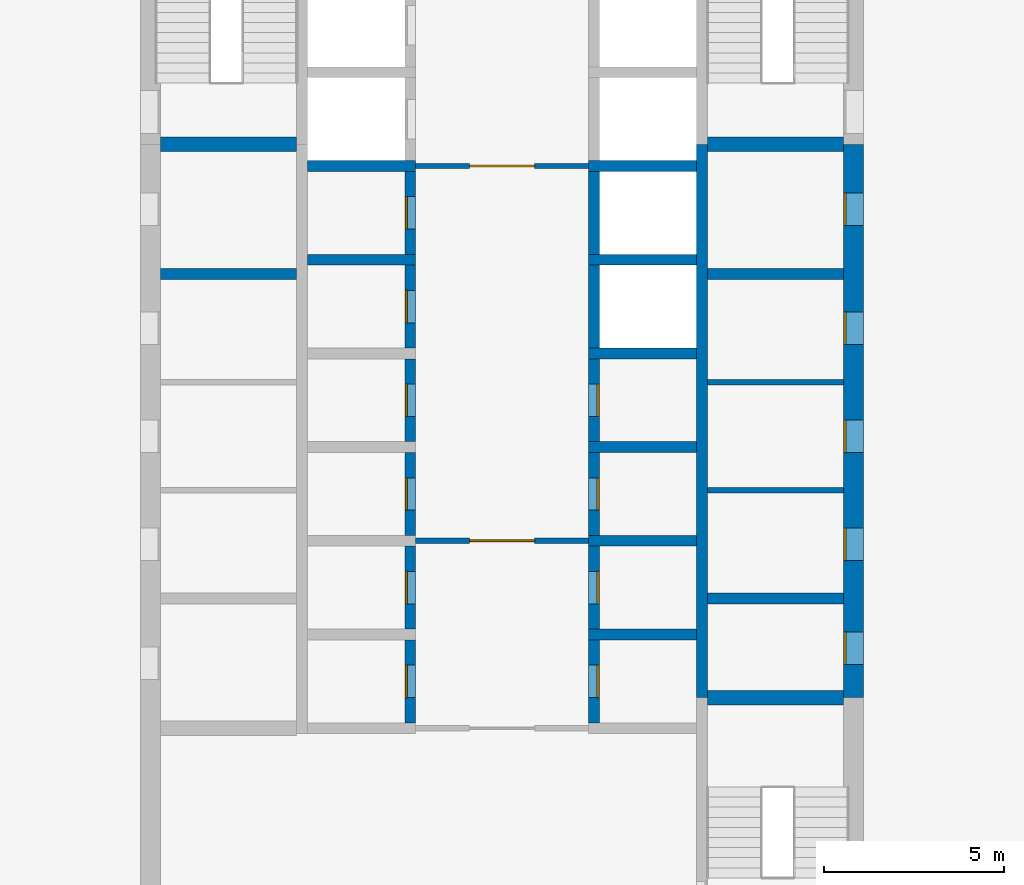
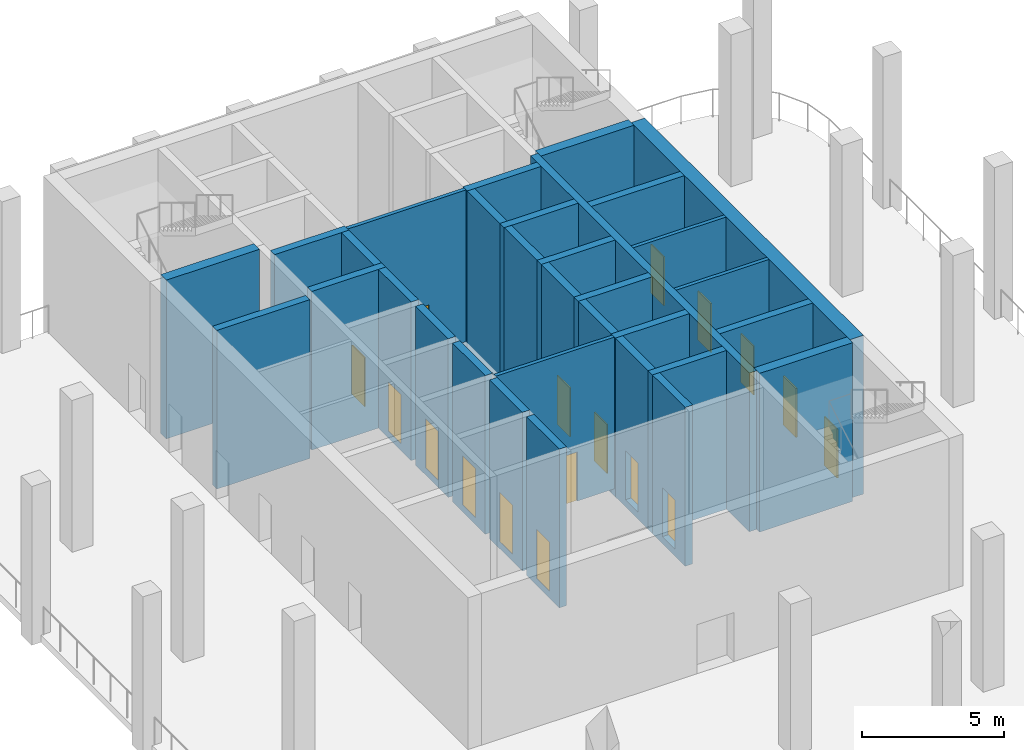
# One storey, part 2 of 10: 32 walls, 17 doors, 17 openings.
"""IFC4 building model written with IfcOpenShell, lengths in metres."""

import ifcopenshell
import ifcopenshell.guid

model = None  # the IFC model being written
_history = None  # IfcOwnerHistory: only IFC2X3 demands one
_inside = {}  # id of a spatial element -> (the spatial element, [elements in it])
_under = {}  # id of a project, library or spatial element -> (it, [spatial elements below it])
_declared = {}  # id of a project -> (the project, [libraries it declares])
_typed = {}  # id of a type object -> (the type object, [elements of that type])
_made_of = {}  # id of a material, layer set ... -> (it, [elements and type objects made of it])


def new_model(schema):
    """Start an empty IFC model of exactly this schema.

    Asked for "IFC4X3", IfcOpenShell would pick the latest addendum, in which some entities
    have other attributes; the version numbers below select the first issue.
    IFC2X3 requires an IfcOwnerHistory on every rooted entity: one is made here for all.
    """
    global model, _history
    if schema == "IFC4X3":
        model = ifcopenshell.file(schema_version=(4, 3, 0, 0))
    else:
        model = ifcopenshell.file(schema=schema)
    _inside.clear()
    _under.clear()
    _declared.clear()
    _typed.clear()
    _made_of.clear()
    _history = None
    if model.schema == "IFC2X3":
        org = make("IfcOrganization", Name="unknown")
        user = make(
            "IfcPersonAndOrganization",
            ThePerson=make("IfcPerson", FamilyName="unknown"),
            TheOrganization=org,
        )
        app = make(
            "IfcApplication",
            ApplicationDeveloper=org,
            Version="unknown",
            ApplicationFullName="unknown",
            ApplicationIdentifier="unknown",
        )
        _history = make(
            "IfcOwnerHistory",
            OwningUser=user,
            OwningApplication=app,
            ChangeAction="ADDED",
            CreationDate=0,
        )
    return model


def make(cls, **values):
    """One entity of the class cls with the attributes given. An attribute that is None is left unset."""
    return model.create_entity(
        cls, **{name: value for name, value in values.items() if value is not None}
    )


def rooted(cls, **values):
    """An entity with a GlobalId (a new one), such as an element, a storey or a relation."""
    return make(cls, GlobalId=ifcopenshell.guid.new(), OwnerHistory=_history, **values)


def si_unit(unit_type, name, prefix=None):
    """IfcSIUnit, for example si_unit("LENGTHUNIT", "METRE", prefix="MILLI")."""
    return make("IfcSIUnit", UnitType=unit_type, Prefix=prefix, Name=name)


def assignment(units):
    """IfcUnitAssignment: the units of a project."""
    return None if units is None else make("IfcUnitAssignment", Units=units)


def point(xyz):
    """IfcCartesianPoint."""
    return None if xyz is None else make("IfcCartesianPoint", Coordinates=xyz)


def direction(xyz):
    """IfcDirection."""
    return None if xyz is None else make("IfcDirection", DirectionRatios=xyz)


def frame(location, z_axis=None, x_axis=None):
    """IfcAxis2Placement3D, a coordinate frame: its origin and axes. An axis left out is left unset."""
    return make(
        "IfcAxis2Placement3D",
        Location=point(location),
        Axis=direction(z_axis),
        RefDirection=direction(x_axis),
    )


def frame_2d(location, x_axis=None):
    """IfcAxis2Placement2D, a coordinate frame in the plane: its origin and x axis."""
    return make(
        "IfcAxis2Placement2D", Location=point(location), RefDirection=direction(x_axis)
    )


def origin():
    """The frame at (0, 0, 0) with its axes left unset."""
    return frame((0.0, 0.0, 0.0))


def place(relative_to, where):
    """IfcLocalPlacement: puts the frame where relative to a parent placement (None: the world)."""
    return make(
        "IfcLocalPlacement", PlacementRelTo=relative_to, RelativePlacement=where
    )


def context(
    kind, dimensions, precision=None, world=None, true_north=None, identifier=None
):
    """IfcGeometricRepresentationContext, for example the 3D "Model" context."""
    return make(
        "IfcGeometricRepresentationContext",
        ContextIdentifier=identifier,
        ContextType=kind,
        CoordinateSpaceDimension=dimensions,
        Precision=precision,
        WorldCoordinateSystem=world,
        TrueNorth=true_north,
    )


def subcontext(parent, identifier, kind, view, scale=None):
    """IfcGeometricRepresentationSubContext, for example "Body" below "Model"."""
    return make(
        "IfcGeometricRepresentationSubContext",
        ContextIdentifier=identifier,
        ContextType=kind,
        ParentContext=parent,
        TargetScale=scale,
        TargetView=view,
    )


def project(units=None, contexts=None):
    """IfcProject with its units and contexts."""
    return rooted(
        "IfcProject",
        Name="project",
        RepresentationContexts=contexts,
        UnitsInContext=assignment(units),
    )


def spatial(cls, under=None, at=None, **own):
    """A site, building, storey or space (cls), placed at a placement, below another one or the project."""
    s = rooted(cls, ObjectPlacement=at, **own)
    if under is not None:
        _under.setdefault(under.id(), (under, []))[1].append(s)
    return s


def profile(cls, at=None, kind="AREA", **sizes):
    """A parametric profile (cls). Its sizes go by their IFC names, for example OverallWidth=200.0."""
    return make(cls, ProfileType=kind, Position=at, **sizes)


def rectangle(**sizes):
    """IfcRectangleProfileDef."""
    return profile("IfcRectangleProfileDef", **sizes)


def extrude(swept, where, along, depth):
    """IfcExtrudedAreaSolid: the profile swept, set in the frame where, extruded along a direction by depth."""
    return make(
        "IfcExtrudedAreaSolid",
        SweptArea=swept,
        Position=where,
        ExtrudedDirection=direction(along),
        Depth=depth,
    )


def shape(context_of_items, identifier, shape_type, items):
    """IfcShapeRepresentation: the items that make up one representation, for example the "Body"."""
    return make(
        "IfcShapeRepresentation",
        ContextOfItems=context_of_items,
        RepresentationIdentifier=identifier,
        RepresentationType=shape_type,
        Items=items,
    )


def material(Name=None, Category=None):
    """IfcMaterial."""
    return make("IfcMaterial", Name=Name, Category=Category)


def layer(
    of_material, thickness, ventilated=None, Name=None, Category=None, Priority=None
):
    """IfcMaterialLayer: one layer of a wall or slab, of a material (None: an air gap)."""
    return make(
        "IfcMaterialLayer",
        Material=of_material,
        LayerThickness=thickness,
        IsVentilated=ventilated,
        Name=Name,
        Category=Category,
        Priority=Priority,
    )


def layer_set(layers, Name=None):
    """IfcMaterialLayerSet."""
    return make("IfcMaterialLayerSet", MaterialLayers=layers, LayerSetName=Name)


def made_of(thing, what):
    """Note that an element or type object is made of a material, layer set ...; save() writes the relation."""
    if what is not None:
        _made_of.setdefault(what.id(), (what, []))[1].append(thing)
    return thing


def type_object(cls, material=None, **own):
    """A type object (cls), such as IfcWallType, which elements share."""
    return made_of(rooted(cls, **own), material)


def element(
    cls,
    number,
    at=None,
    inside=None,
    cuts=None,
    type_object=None,
    material=None,
    context=None,
    identifier="Body",
    shape_type=None,
    held_by="IfcProductDefinitionShape",
    body=None,
    shapes=None,
    **own,
):
    """One element of the class cls, such as IfcWall. Its Tag is "e" and its number.

    at: its placement. inside: the storey or other place that contains it. cuts: it is an
    opening in that element (IfcRelVoidsElement). A single representation is given by context,
    identifier, shape_type and body (its items); several are given by shapes. held_by: the class
    of the entity that holds the representations. save() writes the other relations.
    """
    e = rooted(cls, Tag="e%d" % number, ObjectPlacement=at, **own)
    if body is not None:
        shapes = [shape(context, identifier, shape_type, body)]
    if shapes is not None:
        e.Representation = make(held_by, Representations=shapes)
    if inside is not None:
        _inside.setdefault(inside.id(), (inside, []))[1].append(e)
    if cuts is not None:
        rooted(
            "IfcRelVoidsElement", RelatingBuildingElement=cuts, RelatedOpeningElement=e
        )
    if type_object is not None:
        _typed.setdefault(type_object.id(), (type_object, []))[1].append(e)
    return made_of(e, material)


def fill(opening, filler):
    """IfcRelFillsElement: the door or window that sits in an opening."""
    return rooted(
        "IfcRelFillsElement",
        RelatingOpeningElement=opening,
        RelatedBuildingElement=filler,
    )


def aggregate(whole, parts):
    """IfcRelAggregates: a whole, such as a stair, and the parts it consists of."""
    return rooted("IfcRelAggregates", RelatingObject=whole, RelatedObjects=parts)


def save(model, path):
    """Write the relations noted so far, then the file.

    IfcRelAggregates (storeys below a building ...), IfcRelContainedInSpatialStructure (elements
    in a storey), IfcRelDefinesByType, IfcRelAssociatesMaterial and IfcRelDeclares: one each for
    every whole, place, type object, material and project.
    """
    for whole, parts in _under.values():
        aggregate(whole, parts)
    for where, things in _inside.values():
        rooted(
            "IfcRelContainedInSpatialStructure",
            RelatedElements=things,
            RelatingStructure=where,
        )
    for kind, things in _typed.values():
        rooted("IfcRelDefinesByType", RelatedObjects=things, RelatingType=kind)
    for what, things in _made_of.values():
        rooted("IfcRelAssociatesMaterial", RelatedObjects=things, RelatingMaterial=what)
    for by, libraries in _declared.values():
        rooted("IfcRelDeclares", RelatingContext=by, RelatedDefinitions=libraries)
    model.write(path)


model = new_model("IFC4")

# Units and contexts
model_context = context("Model", 3, precision=1e-05, world=origin(), true_north=direction((0.0, 1.0)))
body_context = subcontext(model_context, "Body", "Model", "MODEL_VIEW")
ifc_project = project(units=[si_unit("LENGTHUNIT", "METRE"), si_unit("AREAUNIT", "SQUARE_METRE"), si_unit("VOLUMEUNIT", "CUBIC_METRE"), si_unit("PLANEANGLEUNIT", "RADIAN"), si_unit("MASSUNIT", "GRAM", prefix="KILO")], contexts=[model_context])

# Site, building, storey
site_placement = place(None, origin())
site = spatial("IfcSite", under=ifc_project, at=site_placement, CompositionType="ELEMENT")
building_placement = place(site_placement, origin())
building = spatial("IfcBuilding", under=site, at=building_placement, Name="Ludao Terraces", CompositionType="ELEMENT")
storey_placement = place(building_placement, frame((0.0, 0.0, 172.39990234375)))
storey = spatial("IfcBuildingStorey", under=building, at=storey_placement, Name="L47", CompositionType="ELEMENT", Elevation=172.39990234375)

# Wall, openings, doors
ifc_material_1 = material(Name="Concrete C60", Category="concrete")
ifc_layer_1 = layer(ifc_material_1, 0.550048828125)
ifc_layer_set_1 = layer_set([ifc_layer_1], Name="Core wall 550 C60")
wall_type_1 = type_object("IfcWallType", Name="Core wall 550 C60", PredefinedType="SOLIDWALL", material=ifc_layer_set_1)
wall_1_placement = place(storey_placement, frame((94.75, 61.949951171875, -0.2998046875), z_axis=(0.0, 0.0, 1.0), x_axis=(0.0, 1.0, 0.0)))
wall_1 = element("IfcWall", 1, at=wall_1_placement, inside=storey, type_object=wall_type_1, Name="Core wall L47 outer-E", PredefinedType="SOLIDWALL", context=body_context, shape_type="SweptSolid", body=[
    extrude(rectangle(XDim=15.35009765625, YDim=0.550048828125, at=frame_2d((7.675048828125, 0.0))), origin(), (0.0, 0.0, 1.0), 6.7998046875),
])
opening_1_placement = place(wall_1_placement, frame((0.925048828125, 0.0, 0.300048828125)))
opening_1 = element("IfcOpeningElement", 2, at=opening_1_placement, cuts=wall_1, Name="Opening L47-008", PredefinedType="OPENING", context=body_context, shape_type="SweptSolid", body=[
    extrude(rectangle(XDim=0.89990234375, YDim=2.10009765625, at=frame_2d((0.449951171875, 1.050048828125))), frame((0.0, 0.28515625, 0.0), z_axis=(0.0, -1.0, 0.0), x_axis=(1.0, 0.0, 0.0)), (0.0, 0.0, 1.0), 0.570068359375),
])
opening_2_placement = place(wall_1_placement, frame((3.800048828125, 0.0, 0.300048828125)))
opening_2 = element("IfcOpeningElement", 3, at=opening_2_placement, cuts=wall_1, Name="Opening L47-012", PredefinedType="OPENING", context=body_context, shape_type="SweptSolid", body=[
    extrude(rectangle(XDim=0.89990234375, YDim=2.10009765625, at=frame_2d((0.449951171875, 1.050048828125))), frame((0.0, 0.28515625, 0.0), z_axis=(0.0, -1.0, 0.0), x_axis=(1.0, 0.0, 0.0)), (0.0, 0.0, 1.0), 0.570068359375),
])
opening_3_placement = place(wall_1_placement, frame((6.800048828125, 0.0, 0.300048828125)))
opening_3 = element("IfcOpeningElement", 4, at=opening_3_placement, cuts=wall_1, Name="Opening L47-017", PredefinedType="OPENING", context=body_context, shape_type="SweptSolid", body=[
    extrude(rectangle(XDim=0.89990234375, YDim=2.10009765625, at=frame_2d((0.449951171875, 1.050048828125))), frame((0.0, 0.28515625, 0.0), z_axis=(0.0, -1.0, 0.0), x_axis=(1.0, 0.0, 0.0)), (0.0, 0.0, 1.0), 0.570068359375),
])
opening_4_placement = place(wall_1_placement, frame((9.800048828125, 0.0, 0.300048828125)))
opening_4 = element("IfcOpeningElement", 5, at=opening_4_placement, cuts=wall_1, Name="Opening L47-021", PredefinedType="OPENING", context=body_context, shape_type="SweptSolid", body=[
    extrude(rectangle(XDim=0.89990234375, YDim=2.10009765625, at=frame_2d((0.449951171875, 1.050048828125))), frame((0.0, 0.28515625, 0.0), z_axis=(0.0, -1.0, 0.0), x_axis=(1.0, 0.0, 0.0)), (0.0, 0.0, 1.0), 0.570068359375),
])
opening_5_placement = place(wall_1_placement, frame((13.10009765625, 0.0, 0.300048828125)))
opening_5 = element("IfcOpeningElement", 6, at=opening_5_placement, cuts=wall_1, Name="Opening L47-025", PredefinedType="OPENING", context=body_context, shape_type="SweptSolid", body=[
    extrude(rectangle(XDim=0.89990234375, YDim=2.10009765625, at=frame_2d((0.449951171875, 1.050048828125))), frame((0.0, 0.28515625, 0.0), z_axis=(0.0, -1.0, 0.0), x_axis=(1.0, 0.0, 0.0)), (0.0, 0.0, 1.0), 0.570068359375),
])
ifc_material_2 = material(Name="Steel Q235", Category="steel")
door_type_1 = type_object("IfcDoorType", Name="INT Riser door 900", OperationType="SINGLE_SWING_LEFT", PredefinedType="DOOR", material=ifc_material_2)
door_1_placement = place(opening_1_placement, origin())
door_1 = element("IfcDoor", 7, at=door_1_placement, inside=storey, type_object=door_type_1, Name="DOOR 008", OperationType="SINGLE_SWING_LEFT", OverallHeight=2.10009765625, OverallWidth=0.89990234375, PredefinedType="DOOR", context=body_context, shape_type="SweptSolid", body=[
    extrude(rectangle(XDim=0.89990234375, YDim=2.10009765625, at=frame_2d((0.449951171875, 1.050048828125))), frame((0.0, 0.26025390625, 0.0), z_axis=(0.0, -1.0, 0.0), x_axis=(1.0, 0.0, 0.0)), (0.0, 0.0, 1.0), 0.050048828125),
])
fill(opening_1, door_1)
door_2_placement = place(opening_5_placement, origin())
door_2 = element("IfcDoor", 8, at=door_2_placement, inside=storey, type_object=door_type_1, Name="DOOR 025", OperationType="SINGLE_SWING_RIGHT", OverallHeight=2.10009765625, OverallWidth=0.89990234375, PredefinedType="DOOR", context=body_context, shape_type="SweptSolid", body=[
    extrude(rectangle(XDim=0.89990234375, YDim=2.10009765625, at=frame_2d((0.449951171875, 1.050048828125))), frame((0.0, 0.26025390625, 0.0), z_axis=(0.0, -1.0, 0.0), x_axis=(1.0, 0.0, 0.0)), (0.0, 0.0, 1.0), 0.050048828125),
])
fill(opening_5, door_2)
ifc_material_3 = material(Name="Timber door leaf", Category="wood")
door_type_2 = type_object("IfcDoorType", Name="INT Room door 900", OperationType="SINGLE_SWING_LEFT", PredefinedType="DOOR", material=ifc_material_3)
door_3_placement = place(opening_2_placement, origin())
door_3 = element("IfcDoor", 9, at=door_3_placement, inside=storey, type_object=door_type_2, Name="DOOR 012", OperationType="SINGLE_SWING_LEFT", OverallHeight=2.10009765625, OverallWidth=0.89990234375, PredefinedType="DOOR", context=body_context, shape_type="SweptSolid", body=[
    extrude(rectangle(XDim=0.89990234375, YDim=2.10009765625, at=frame_2d((0.449951171875, 1.050048828125))), frame((0.0, 0.26025390625, 0.0), z_axis=(0.0, -1.0, 0.0), x_axis=(1.0, 0.0, 0.0)), (0.0, 0.0, 1.0), 0.050048828125),
])
fill(opening_2, door_3)
door_4_placement = place(opening_3_placement, origin())
door_4 = element("IfcDoor", 10, at=door_4_placement, inside=storey, type_object=door_type_2, Name="DOOR 017", OperationType="SINGLE_SWING_RIGHT", OverallHeight=2.10009765625, OverallWidth=0.89990234375, PredefinedType="DOOR", context=body_context, shape_type="SweptSolid", body=[
    extrude(rectangle(XDim=0.89990234375, YDim=2.10009765625, at=frame_2d((0.449951171875, 1.050048828125))), frame((0.0, 0.26025390625, 0.0), z_axis=(0.0, -1.0, 0.0), x_axis=(1.0, 0.0, 0.0)), (0.0, 0.0, 1.0), 0.050048828125),
])
fill(opening_3, door_4)
door_5_placement = place(opening_4_placement, origin())
door_5 = element("IfcDoor", 11, at=door_5_placement, inside=storey, type_object=door_type_2, Name="DOOR 021", OperationType="SINGLE_SWING_RIGHT", OverallHeight=2.10009765625, OverallWidth=0.89990234375, PredefinedType="DOOR", context=body_context, shape_type="SweptSolid", body=[
    extrude(rectangle(XDim=0.89990234375, YDim=2.10009765625, at=frame_2d((0.449951171875, 1.050048828125))), frame((0.0, 0.26025390625, 0.0), z_axis=(0.0, -1.0, 0.0), x_axis=(1.0, 0.0, 0.0)), (0.0, 0.0, 1.0), 0.050048828125),
])
fill(opening_4, door_5)

# Wall, opening, door
ifc_material_4 = material(Name="Fire-rated gypsum plasterboard", Category="gypsum")
ifc_layer_2 = layer(ifc_material_4, 0.012451171875, Category="gypsum")
ifc_material_5 = material(Name="Mineral wool")
ifc_layer_3 = layer(ifc_material_5, 0.10009765625, Name="insulation")
ifc_layer_4 = layer(ifc_material_2, 0.02490234375, Name="stud")
ifc_layer_5 = layer(ifc_material_4, 0.012451171875, Category="gypsum")
ifc_layer_set_2 = layer_set([ifc_layer_2, ifc_layer_3, ifc_layer_4, ifc_layer_5], Name="INT Core partition 150")
wall_type_2 = type_object("IfcWallType", Name="INT Core partition 150", PredefinedType="PARTITIONING", material=ifc_layer_set_2)
wall_2_placement = place(storey_placement, frame((82.60009765625, 66.300048828125, 0.0), z_axis=(0.0, 0.0, 1.0), x_axis=(1.0, 0.0, 0.0)))
wall_2 = element("IfcWall", 12, at=wall_2_placement, inside=storey, type_object=wall_type_2, Name="PW-L47-PW001", PredefinedType="PARTITIONING", context=body_context, shape_type="SweptSolid", body=[
    extrude(rectangle(XDim=4.800048828125, YDim=0.14990234375, at=frame_2d((2.39990234375, 0.0))), origin(), (0.0, 0.0, 1.0), 6.5),
])
opening_6_placement = place(wall_2_placement, frame((1.5, 0.0, 0.0)))
opening_6 = element("IfcOpeningElement", 13, at=opening_6_placement, cuts=wall_2, Name="Opening L47-013", PredefinedType="OPENING", context=body_context, shape_type="SweptSolid", body=[
    extrude(rectangle(XDim=1.800048828125, YDim=2.10009765625, at=frame_2d((0.89990234375, 1.050048828125))), frame((0.0, 0.0849609375, 0.0), z_axis=(0.0, -1.0, 0.0), x_axis=(1.0, 0.0, 0.0)), (0.0, 0.0, 1.0), 0.169921875),
])
door_type_3 = type_object("IfcDoorType", Name="INT Fire lobby door 1800", OperationType="DOUBLE_DOOR_SINGLE_SWING", PredefinedType="DOOR", material=ifc_material_2)
door_6_placement = place(opening_6_placement, origin())
door_6 = element("IfcDoor", 14, at=door_6_placement, inside=storey, type_object=door_type_3, Name="DOOR 013", OperationType="DOUBLE_DOOR_SINGLE_SWING", OverallHeight=2.10009765625, OverallWidth=1.800048828125, PredefinedType="DOOR", context=body_context, shape_type="SweptSolid", body=[
    extrude(rectangle(XDim=1.800048828125, YDim=2.10009765625, at=frame_2d((0.89990234375, 1.050048828125))), frame((0.0, 0.02490234375, 0.0), z_axis=(0.0, -1.0, 0.0), x_axis=(1.0, 0.0, 0.0)), (0.0, 0.0, 1.0), 0.050048828125),
])
fill(opening_6, door_6)

# Walls
for number, where, z_axis, x_axis, name in (
    (15, (90.7001953125, 67.699951171875, 0.0), (0.0, 0.0, 1.0), (1.0, 0.0, 0.0), "PW-L47-PW003"),
    (16, (90.7001953125, 70.699951171875, 0.0), (0.0, 0.0, 1.0), (1.0, 0.0, 0.0), "PW-L47-PW005"),
):
    element("IfcWall", number, at=place(storey_placement, frame(where, z_axis=z_axis, x_axis=x_axis)), inside=storey, type_object=wall_type_2, Name=name, PredefinedType="PARTITIONING", context=body_context, shape_type="SweptSolid", body=[
        extrude(rectangle(XDim=3.77490234375, YDim=0.14990234375, at=frame_2d((1.887451171875, 0.0))), origin(), (0.0, 0.0, 1.0), 6.5),
    ])

# Wall, opening, door
wall_3_placement = place(storey_placement, frame((82.60009765625, 76.699951171875, 0.0), z_axis=(0.0, 0.0, 1.0), x_axis=(1.0, 0.0, 0.0)))
wall_3 = element("IfcWall", 17, at=wall_3_placement, inside=storey, type_object=wall_type_2, Name="PW-L47-PW006", PredefinedType="PARTITIONING", context=body_context, shape_type="SweptSolid", body=[
    extrude(rectangle(XDim=4.800048828125, YDim=0.14990234375, at=frame_2d((2.39990234375, 0.0))), origin(), (0.0, 0.0, 1.0), 6.5),
])
opening_7_placement = place(wall_3_placement, frame((1.5, 0.0, 0.0)))
opening_7 = element("IfcOpeningElement", 18, at=opening_7_placement, cuts=wall_3, Name="Opening L47-026", PredefinedType="OPENING", context=body_context, shape_type="SweptSolid", body=[
    extrude(rectangle(XDim=1.800048828125, YDim=2.10009765625, at=frame_2d((0.89990234375, 1.050048828125))), frame((0.0, 0.0849609375, 0.0), z_axis=(0.0, -1.0, 0.0), x_axis=(1.0, 0.0, 0.0)), (0.0, 0.0, 1.0), 0.169921875),
])
door_7_placement = place(opening_7_placement, origin())
door_7 = element("IfcDoor", 19, at=door_7_placement, inside=storey, type_object=door_type_3, Name="DOOR 026", OperationType="DOUBLE_DOOR_SINGLE_SWING", OverallHeight=2.10009765625, OverallWidth=1.800048828125, PredefinedType="DOOR", context=body_context, shape_type="SweptSolid", body=[
    extrude(rectangle(XDim=1.800048828125, YDim=2.10009765625, at=frame_2d((0.89990234375, 1.050048828125))), frame((0.0, 0.02490234375, 0.0), z_axis=(0.0, -1.0, 0.0), x_axis=(1.0, 0.0, 0.0)), (0.0, 0.0, 1.0), 0.050048828125),
])
fill(opening_7, door_7)

# Wall
ifc_material_6 = material(Name="Concrete C55", Category="concrete")
ifc_layer_6 = layer(ifc_material_6, 0.300048828125)
ifc_layer_set_3 = layer_set([ifc_layer_6], Name="Shaft wall 300 C55")
wall_type_3 = type_object("IfcWallType", Name="Shaft wall 300 C55", PredefinedType="SOLIDWALL", material=ifc_layer_set_3)
wall_4_placement = place(storey_placement, frame((90.550048828125, 61.949951171875, -0.2998046875), z_axis=(0.0, 0.0, 1.0), x_axis=(0.0, 1.0, 0.0)))
element("IfcWall", 20, at=wall_4_placement, inside=storey, type_object=wall_type_3, Name="Core wall L47 back-E", PredefinedType="SOLIDWALL", context=body_context, shape_type="SweptSolid", body=[
    extrude(rectangle(XDim=15.35009765625, YDim=0.300048828125, at=frame_2d((7.675048828125, 0.0))), origin(), (0.0, 0.0, 1.0), 6.7998046875),
])

# Wall, opening, door
wall_5_placement = place(storey_placement, frame((82.449951171875, 61.25, -0.2998046875), z_axis=(0.0, 0.0, 1.0), x_axis=(0.0, 1.0, 0.0)))
wall_5 = element("IfcWall", 21, at=wall_5_placement, inside=storey, type_object=wall_type_3, Name="Core wall L47 front-W1", PredefinedType="SOLIDWALL", context=body_context, shape_type="SweptSolid", body=[
    extrude(rectangle(XDim=2.300048828125, YDim=0.300048828125, at=frame_2d((1.14990234375, 0.0))), origin(), (0.0, 0.0, 1.0), 6.7998046875),
])
opening_8_placement = place(wall_5_placement, frame((0.699951171875, 0.0, 0.300048828125)))
opening_8 = element("IfcOpeningElement", 22, at=opening_8_placement, cuts=wall_5, Name="Opening L47-005", PredefinedType="OPENING", context=body_context, shape_type="SweptSolid", body=[
    extrude(rectangle(XDim=0.89990234375, YDim=2.10009765625, at=frame_2d((0.449951171875, 1.050048828125))), frame((0.0, 0.16015625, 0.0), z_axis=(0.0, -1.0, 0.0), x_axis=(1.0, 0.0, 0.0)), (0.0, 0.0, 1.0), 0.320068359375),
])
door_8_placement = place(opening_8_placement, origin())
door_8 = element("IfcDoor", 23, at=door_8_placement, inside=storey, type_object=door_type_2, Name="DOOR 005", OperationType="SINGLE_SWING_RIGHT", OverallHeight=2.10009765625, OverallWidth=0.89990234375, PredefinedType="DOOR", context=body_context, shape_type="SweptSolid", body=[
    extrude(rectangle(XDim=0.89990234375, YDim=2.10009765625, at=frame_2d((0.449951171875, 1.050048828125))), frame((0.0, 0.13525390625, 0.0), z_axis=(0.0, -1.0, 0.0), x_axis=(1.0, 0.0, 0.0)), (0.0, 0.0, 1.0), 0.050048828125),
])
fill(opening_8, door_8)

wall_6_placement = place(storey_placement, frame((82.449951171875, 63.85009765625, -0.2998046875), z_axis=(0.0, 0.0, 1.0), x_axis=(0.0, 1.0, 0.0)))
wall_6 = element("IfcWall", 24, at=wall_6_placement, inside=storey, type_object=wall_type_3, Name="Core wall L47 front-W2", PredefinedType="SOLIDWALL", context=body_context, shape_type="SweptSolid", body=[
    extrude(rectangle(XDim=2.2998046875, YDim=0.300048828125, at=frame_2d((1.14990234375, 0.0))), origin(), (0.0, 0.0, 1.0), 6.7998046875),
])
opening_9_placement = place(wall_6_placement, frame((0.699951171875, 0.0, 0.300048828125)))
opening_9 = element("IfcOpeningElement", 25, at=opening_9_placement, cuts=wall_6, Name="Opening L47-009", PredefinedType="OPENING", context=body_context, shape_type="SweptSolid", body=[
    extrude(rectangle(XDim=0.89990234375, YDim=2.10009765625, at=frame_2d((0.449951171875, 1.050048828125))), frame((0.0, 0.16015625, 0.0), z_axis=(0.0, -1.0, 0.0), x_axis=(1.0, 0.0, 0.0)), (0.0, 0.0, 1.0), 0.320068359375),
])
door_9_placement = place(opening_9_placement, origin())
door_9 = element("IfcDoor", 26, at=door_9_placement, inside=storey, type_object=door_type_2, Name="DOOR 009", OperationType="SINGLE_SWING_LEFT", OverallHeight=2.10009765625, OverallWidth=0.89990234375, PredefinedType="DOOR", context=body_context, shape_type="SweptSolid", body=[
    extrude(rectangle(XDim=0.89990234375, YDim=2.10009765625, at=frame_2d((0.449951171875, 1.050048828125))), frame((0.0, 0.13525390625, 0.0), z_axis=(0.0, -1.0, 0.0), x_axis=(1.0, 0.0, 0.0)), (0.0, 0.0, 1.0), 0.050048828125),
])
fill(opening_9, door_9)

wall_7_placement = place(storey_placement, frame((82.449951171875, 66.449951171875, -0.2998046875), z_axis=(0.0, 0.0, 1.0), x_axis=(0.0, 1.0, 0.0)))
wall_7 = element("IfcWall", 27, at=wall_7_placement, inside=storey, type_object=wall_type_3, Name="Core wall L47 front-W3", PredefinedType="SOLIDWALL", context=body_context, shape_type="SweptSolid", body=[
    extrude(rectangle(XDim=2.300048828125, YDim=0.300048828125, at=frame_2d((1.14990234375, 0.0))), origin(), (0.0, 0.0, 1.0), 6.7998046875),
])
opening_10_placement = place(wall_7_placement, frame((0.699951171875, 0.0, 0.300048828125)))
opening_10 = element("IfcOpeningElement", 28, at=opening_10_placement, cuts=wall_7, Name="Opening L47-014", PredefinedType="OPENING", context=body_context, shape_type="SweptSolid", body=[
    extrude(rectangle(XDim=0.89990234375, YDim=2.10009765625, at=frame_2d((0.449951171875, 1.050048828125))), frame((0.0, 0.16015625, 0.0), z_axis=(0.0, -1.0, 0.0), x_axis=(1.0, 0.0, 0.0)), (0.0, 0.0, 1.0), 0.320068359375),
])
door_10_placement = place(opening_10_placement, origin())
door_10 = element("IfcDoor", 29, at=door_10_placement, inside=storey, type_object=door_type_2, Name="DOOR 014", OperationType="SINGLE_SWING_RIGHT", OverallHeight=2.10009765625, OverallWidth=0.89990234375, PredefinedType="DOOR", context=body_context, shape_type="SweptSolid", body=[
    extrude(rectangle(XDim=0.89990234375, YDim=2.10009765625, at=frame_2d((0.449951171875, 1.050048828125))), frame((0.0, 0.13525390625, 0.0), z_axis=(0.0, -1.0, 0.0), x_axis=(1.0, 0.0, 0.0)), (0.0, 0.0, 1.0), 0.050048828125),
])
fill(opening_10, door_10)

wall_8_placement = place(storey_placement, frame((82.449951171875, 69.050048828125, -0.2998046875), z_axis=(0.0, 0.0, 1.0), x_axis=(0.0, 1.0, 0.0)))
wall_8 = element("IfcWall", 30, at=wall_8_placement, inside=storey, type_object=wall_type_3, Name="Core wall L47 front-W4", PredefinedType="SOLIDWALL", context=body_context, shape_type="SweptSolid", body=[
    extrude(rectangle(XDim=2.300048828125, YDim=0.300048828125, at=frame_2d((1.14990234375, 0.0))), origin(), (0.0, 0.0, 1.0), 6.7998046875),
])
opening_11_placement = place(wall_8_placement, frame((0.699951171875, 0.0, 0.300048828125)))
opening_11 = element("IfcOpeningElement", 31, at=opening_11_placement, cuts=wall_8, Name="Opening L47-018", PredefinedType="OPENING", context=body_context, shape_type="SweptSolid", body=[
    extrude(rectangle(XDim=0.89990234375, YDim=2.10009765625, at=frame_2d((0.449951171875, 1.050048828125))), frame((0.0, 0.16015625, 0.0), z_axis=(0.0, -1.0, 0.0), x_axis=(1.0, 0.0, 0.0)), (0.0, 0.0, 1.0), 0.320068359375),
])
door_11_placement = place(opening_11_placement, origin())
door_11 = element("IfcDoor", 32, at=door_11_placement, inside=storey, type_object=door_type_2, Name="DOOR 018", OperationType="SINGLE_SWING_LEFT", OverallHeight=2.10009765625, OverallWidth=0.89990234375, PredefinedType="DOOR", context=body_context, shape_type="SweptSolid", body=[
    extrude(rectangle(XDim=0.89990234375, YDim=2.10009765625, at=frame_2d((0.449951171875, 1.050048828125))), frame((0.0, 0.13525390625, 0.0), z_axis=(0.0, -1.0, 0.0), x_axis=(1.0, 0.0, 0.0)), (0.0, 0.0, 1.0), 0.050048828125),
])
fill(opening_11, door_11)

wall_9_placement = place(storey_placement, frame((82.449951171875, 71.64990234375, -0.2998046875), z_axis=(0.0, 0.0, 1.0), x_axis=(0.0, 1.0, 0.0)))
wall_9 = element("IfcWall", 33, at=wall_9_placement, inside=storey, type_object=wall_type_3, Name="Core wall L47 front-W5", PredefinedType="SOLIDWALL", context=body_context, shape_type="SweptSolid", body=[
    extrude(rectangle(XDim=2.300048828125, YDim=0.300048828125, at=frame_2d((1.14990234375, 0.0))), origin(), (0.0, 0.0, 1.0), 6.7998046875),
])
opening_12_placement = place(wall_9_placement, frame((0.699951171875, 0.0, 0.300048828125)))
opening_12 = element("IfcOpeningElement", 34, at=opening_12_placement, cuts=wall_9, Name="Opening L47-022", PredefinedType="OPENING", context=body_context, shape_type="SweptSolid", body=[
    extrude(rectangle(XDim=0.89990234375, YDim=2.10009765625, at=frame_2d((0.449951171875, 1.050048828125))), frame((0.0, 0.16015625, 0.0), z_axis=(0.0, -1.0, 0.0), x_axis=(1.0, 0.0, 0.0)), (0.0, 0.0, 1.0), 0.320068359375),
])
door_12_placement = place(opening_12_placement, origin())
door_12 = element("IfcDoor", 35, at=door_12_placement, inside=storey, type_object=door_type_2, Name="DOOR 022", OperationType="SINGLE_SWING_LEFT", OverallHeight=2.10009765625, OverallWidth=0.89990234375, PredefinedType="DOOR", context=body_context, shape_type="SweptSolid", body=[
    extrude(rectangle(XDim=0.89990234375, YDim=2.10009765625, at=frame_2d((0.449951171875, 1.050048828125))), frame((0.0, 0.13525390625, 0.0), z_axis=(0.0, -1.0, 0.0), x_axis=(1.0, 0.0, 0.0)), (0.0, 0.0, 1.0), 0.050048828125),
])
fill(opening_12, door_12)

# Wall
wall_10_placement = place(storey_placement, frame((79.60009765625, 74.10009765625, -0.2998046875), z_axis=(0.0, 0.0, 1.0), x_axis=(1.0, 0.0, 0.0)))
element("IfcWall", 36, at=wall_10_placement, inside=storey, type_object=wall_type_3, Name="Core wall L47 div-W6", PredefinedType="SOLIDWALL", context=body_context, shape_type="SweptSolid", body=[
    extrude(rectangle(XDim=3.0, YDim=0.300048828125, at=frame_2d((1.5, 0.0))), origin(), (0.0, 0.0, 1.0), 6.7998046875),
])

# Wall, opening, door
wall_11_placement = place(storey_placement, frame((82.449951171875, 74.25, -0.2998046875), z_axis=(0.0, 0.0, 1.0), x_axis=(0.0, 1.0, 0.0)))
wall_11 = element("IfcWall", 37, at=wall_11_placement, inside=storey, type_object=wall_type_3, Name="Core wall L47 front-W6", PredefinedType="SOLIDWALL", context=body_context, shape_type="SweptSolid", body=[
    extrude(rectangle(XDim=2.300048828125, YDim=0.300048828125, at=frame_2d((1.14990234375, 0.0))), origin(), (0.0, 0.0, 1.0), 6.7998046875),
])
opening_13_placement = place(wall_11_placement, frame((0.699951171875, 0.0, 0.300048828125)))
opening_13 = element("IfcOpeningElement", 38, at=opening_13_placement, cuts=wall_11, Name="Opening L47-023", PredefinedType="OPENING", context=body_context, shape_type="SweptSolid", body=[
    extrude(rectangle(XDim=0.89990234375, YDim=2.10009765625, at=frame_2d((0.449951171875, 1.050048828125))), frame((0.0, 0.16015625, 0.0), z_axis=(0.0, -1.0, 0.0), x_axis=(1.0, 0.0, 0.0)), (0.0, 0.0, 1.0), 0.320068359375),
])
door_13_placement = place(opening_13_placement, origin())
door_13 = element("IfcDoor", 39, at=door_13_placement, inside=storey, type_object=door_type_2, Name="DOOR 023", OperationType="SINGLE_SWING_RIGHT", OverallHeight=2.10009765625, OverallWidth=0.89990234375, PredefinedType="DOOR", context=body_context, shape_type="SweptSolid", body=[
    extrude(rectangle(XDim=0.89990234375, YDim=2.10009765625, at=frame_2d((0.449951171875, 1.050048828125))), frame((0.0, 0.13525390625, 0.0), z_axis=(0.0, -1.0, 0.0), x_axis=(1.0, 0.0, 0.0)), (0.0, 0.0, 1.0), 0.050048828125),
])
fill(opening_13, door_13)

# Wall
wall_12_placement = place(storey_placement, frame((79.60009765625, 76.699951171875, -0.2998046875), z_axis=(0.0, 0.0, 1.0), x_axis=(1.0, 0.0, 0.0)))
element("IfcWall", 40, at=wall_12_placement, inside=storey, type_object=wall_type_3, Name="Core wall L47 div-W7", PredefinedType="SOLIDWALL", context=body_context, shape_type="SweptSolid", body=[
    extrude(rectangle(XDim=3.0, YDim=0.300048828125, at=frame_2d((1.5, 0.0))), origin(), (0.0, 0.0, 1.0), 6.7998046875),
])

# Wall, opening, door
wall_13_placement = place(storey_placement, frame((87.550048828125, 61.25, -0.2998046875), z_axis=(0.0, 0.0, 1.0), x_axis=(0.0, 1.0, 0.0)))
wall_13 = element("IfcWall", 41, at=wall_13_placement, inside=storey, type_object=wall_type_3, Name="Core wall L47 front-E1", PredefinedType="SOLIDWALL", context=body_context, shape_type="SweptSolid", body=[
    extrude(rectangle(XDim=2.300048828125, YDim=0.300048828125, at=frame_2d((1.14990234375, 0.0))), origin(), (0.0, 0.0, 1.0), 6.7998046875),
])
opening_14_placement = place(wall_13_placement, frame((0.699951171875, 0.0, 0.300048828125)))
opening_14 = element("IfcOpeningElement", 42, at=opening_14_placement, cuts=wall_13, Name="Opening L47-006", PredefinedType="OPENING", context=body_context, shape_type="SweptSolid", body=[
    extrude(rectangle(XDim=0.89990234375, YDim=2.10009765625, at=frame_2d((0.449951171875, 1.050048828125))), frame((0.0, 0.16015625, 0.0), z_axis=(0.0, -1.0, 0.0), x_axis=(1.0, 0.0, 0.0)), (0.0, 0.0, 1.0), 0.320068359375),
])
door_14_placement = place(opening_14_placement, origin())
door_14 = element("IfcDoor", 43, at=door_14_placement, inside=storey, type_object=door_type_2, Name="DOOR 006", OperationType="SINGLE_SWING_LEFT", OverallHeight=2.10009765625, OverallWidth=0.89990234375, PredefinedType="DOOR", context=body_context, shape_type="SweptSolid", body=[
    extrude(rectangle(XDim=0.89990234375, YDim=2.10009765625, at=frame_2d((0.449951171875, 1.050048828125))), frame((0.0, -0.0849609375, 0.0), z_axis=(0.0, -1.0, 0.0), x_axis=(1.0, 0.0, 0.0)), (0.0, 0.0, 1.0), 0.050048828125),
])
fill(opening_14, door_14)

# Wall
wall_14_placement = place(storey_placement, frame((87.39990234375, 63.699951171875, -0.2998046875), z_axis=(0.0, 0.0, 1.0), x_axis=(1.0, 0.0, 0.0)))
element("IfcWall", 44, at=wall_14_placement, inside=storey, type_object=wall_type_3, Name="Core wall L47 div-E2", PredefinedType="SOLIDWALL", context=body_context, shape_type="SweptSolid", body=[
    extrude(rectangle(XDim=3.0, YDim=0.300048828125, at=frame_2d((1.5, 0.0))), origin(), (0.0, 0.0, 1.0), 6.7998046875),
])

# Wall, opening, door
wall_15_placement = place(storey_placement, frame((87.550048828125, 63.85009765625, -0.2998046875), z_axis=(0.0, 0.0, 1.0), x_axis=(0.0, 1.0, 0.0)))
wall_15 = element("IfcWall", 45, at=wall_15_placement, inside=storey, type_object=wall_type_3, Name="Core wall L47 front-E2", PredefinedType="SOLIDWALL", context=body_context, shape_type="SweptSolid", body=[
    extrude(rectangle(XDim=2.2998046875, YDim=0.300048828125, at=frame_2d((1.14990234375, 0.0))), origin(), (0.0, 0.0, 1.0), 6.7998046875),
])
opening_15_placement = place(wall_15_placement, frame((0.699951171875, 0.0, 0.300048828125)))
opening_15 = element("IfcOpeningElement", 46, at=opening_15_placement, cuts=wall_15, Name="Opening L47-010", PredefinedType="OPENING", context=body_context, shape_type="SweptSolid", body=[
    extrude(rectangle(XDim=0.89990234375, YDim=2.10009765625, at=frame_2d((0.449951171875, 1.050048828125))), frame((0.0, 0.16015625, 0.0), z_axis=(0.0, -1.0, 0.0), x_axis=(1.0, 0.0, 0.0)), (0.0, 0.0, 1.0), 0.320068359375),
])
door_15_placement = place(opening_15_placement, origin())
door_15 = element("IfcDoor", 47, at=door_15_placement, inside=storey, type_object=door_type_2, Name="DOOR 010", OperationType="SINGLE_SWING_RIGHT", OverallHeight=2.10009765625, OverallWidth=0.89990234375, PredefinedType="DOOR", context=body_context, shape_type="SweptSolid", body=[
    extrude(rectangle(XDim=0.89990234375, YDim=2.10009765625, at=frame_2d((0.449951171875, 1.050048828125))), frame((0.0, -0.0849609375, 0.0), z_axis=(0.0, -1.0, 0.0), x_axis=(1.0, 0.0, 0.0)), (0.0, 0.0, 1.0), 0.050048828125),
])
fill(opening_15, door_15)

# Wall
wall_16_placement = place(storey_placement, frame((87.39990234375, 66.300048828125, -0.2998046875), z_axis=(0.0, 0.0, 1.0), x_axis=(1.0, 0.0, 0.0)))
element("IfcWall", 48, at=wall_16_placement, inside=storey, type_object=wall_type_3, Name="Core wall L47 div-E3", PredefinedType="SOLIDWALL", context=body_context, shape_type="SweptSolid", body=[
    extrude(rectangle(XDim=3.0, YDim=0.300048828125, at=frame_2d((1.5, 0.0))), origin(), (0.0, 0.0, 1.0), 6.7998046875),
])

# Wall, opening, door
wall_17_placement = place(storey_placement, frame((87.550048828125, 66.449951171875, -0.2998046875), z_axis=(0.0, 0.0, 1.0), x_axis=(0.0, 1.0, 0.0)))
wall_17 = element("IfcWall", 49, at=wall_17_placement, inside=storey, type_object=wall_type_3, Name="Core wall L47 front-E3", PredefinedType="SOLIDWALL", context=body_context, shape_type="SweptSolid", body=[
    extrude(rectangle(XDim=2.300048828125, YDim=0.300048828125, at=frame_2d((1.14990234375, 0.0))), origin(), (0.0, 0.0, 1.0), 6.7998046875),
])
opening_16_placement = place(wall_17_placement, frame((0.699951171875, 0.0, 0.300048828125)))
opening_16 = element("IfcOpeningElement", 50, at=opening_16_placement, cuts=wall_17, Name="Opening L47-015", PredefinedType="OPENING", context=body_context, shape_type="SweptSolid", body=[
    extrude(rectangle(XDim=0.89990234375, YDim=2.10009765625, at=frame_2d((0.449951171875, 1.050048828125))), frame((0.0, 0.16015625, 0.0), z_axis=(0.0, -1.0, 0.0), x_axis=(1.0, 0.0, 0.0)), (0.0, 0.0, 1.0), 0.320068359375),
])
door_16_placement = place(opening_16_placement, origin())
door_16 = element("IfcDoor", 51, at=door_16_placement, inside=storey, type_object=door_type_2, Name="DOOR 015", OperationType="SINGLE_SWING_LEFT", OverallHeight=2.10009765625, OverallWidth=0.89990234375, PredefinedType="DOOR", context=body_context, shape_type="SweptSolid", body=[
    extrude(rectangle(XDim=0.89990234375, YDim=2.10009765625, at=frame_2d((0.449951171875, 1.050048828125))), frame((0.0, -0.0849609375, 0.0), z_axis=(0.0, -1.0, 0.0), x_axis=(1.0, 0.0, 0.0)), (0.0, 0.0, 1.0), 0.050048828125),
])
fill(opening_16, door_16)

# Wall
wall_18_placement = place(storey_placement, frame((87.39990234375, 68.89990234375, -0.2998046875), z_axis=(0.0, 0.0, 1.0), x_axis=(1.0, 0.0, 0.0)))
element("IfcWall", 52, at=wall_18_placement, inside=storey, type_object=wall_type_3, Name="Core wall L47 div-E4", PredefinedType="SOLIDWALL", context=body_context, shape_type="SweptSolid", body=[
    extrude(rectangle(XDim=3.0, YDim=0.300048828125, at=frame_2d((1.5, 0.0))), origin(), (0.0, 0.0, 1.0), 6.7998046875),
])

# Wall, opening, door
wall_19_placement = place(storey_placement, frame((87.550048828125, 69.050048828125, -0.2998046875), z_axis=(0.0, 0.0, 1.0), x_axis=(0.0, 1.0, 0.0)))
wall_19 = element("IfcWall", 53, at=wall_19_placement, inside=storey, type_object=wall_type_3, Name="Core wall L47 front-E4", PredefinedType="SOLIDWALL", context=body_context, shape_type="SweptSolid", body=[
    extrude(rectangle(XDim=2.300048828125, YDim=0.300048828125, at=frame_2d((1.14990234375, 0.0))), origin(), (0.0, 0.0, 1.0), 6.7998046875),
])
opening_17_placement = place(wall_19_placement, frame((0.699951171875, 0.0, 0.300048828125)))
opening_17 = element("IfcOpeningElement", 54, at=opening_17_placement, cuts=wall_19, Name="Opening L47-019", PredefinedType="OPENING", context=body_context, shape_type="SweptSolid", body=[
    extrude(rectangle(XDim=0.89990234375, YDim=2.10009765625, at=frame_2d((0.449951171875, 1.050048828125))), frame((0.0, 0.16015625, 0.0), z_axis=(0.0, -1.0, 0.0), x_axis=(1.0, 0.0, 0.0)), (0.0, 0.0, 1.0), 0.320068359375),
])
door_17_placement = place(opening_17_placement, origin())
door_17 = element("IfcDoor", 55, at=door_17_placement, inside=storey, type_object=door_type_2, Name="DOOR 019", OperationType="SINGLE_SWING_RIGHT", OverallHeight=2.10009765625, OverallWidth=0.89990234375, PredefinedType="DOOR", context=body_context, shape_type="SweptSolid", body=[
    extrude(rectangle(XDim=0.89990234375, YDim=2.10009765625, at=frame_2d((0.449951171875, 1.050048828125))), frame((0.0, -0.0849609375, 0.0), z_axis=(0.0, -1.0, 0.0), x_axis=(1.0, 0.0, 0.0)), (0.0, 0.0, 1.0), 0.050048828125),
])
fill(opening_17, door_17)

# Walls
wall_20_placement = place(storey_placement, frame((87.39990234375, 71.5, -0.2998046875), z_axis=(0.0, 0.0, 1.0), x_axis=(1.0, 0.0, 0.0)))
element("IfcWall", 56, at=wall_20_placement, inside=storey, type_object=wall_type_3, Name="Core wall L47 div-E5", PredefinedType="SOLIDWALL", context=body_context, shape_type="SweptSolid", body=[
    extrude(rectangle(XDim=3.0, YDim=0.300048828125, at=frame_2d((1.5, 0.0))), origin(), (0.0, 0.0, 1.0), 6.7998046875),
])
wall_21_placement = place(storey_placement, frame((87.550048828125, 71.64990234375, -0.2998046875), z_axis=(0.0, 0.0, 1.0), x_axis=(0.0, 1.0, 0.0)))
element("IfcWall", 57, at=wall_21_placement, inside=storey, type_object=wall_type_3, Name="Core wall L47 front-E5", PredefinedType="SOLIDWALL", context=body_context, shape_type="SweptSolid", body=[
    extrude(rectangle(XDim=2.300048828125, YDim=0.300048828125, at=frame_2d((1.14990234375, 0.0))), origin(), (0.0, 0.0, 1.0), 6.7998046875),
])
wall_22_placement = place(storey_placement, frame((87.39990234375, 74.10009765625, -0.2998046875), z_axis=(0.0, 0.0, 1.0), x_axis=(1.0, 0.0, 0.0)))
element("IfcWall", 58, at=wall_22_placement, inside=storey, type_object=wall_type_3, Name="Core wall L47 div-E6", PredefinedType="SOLIDWALL", context=body_context, shape_type="SweptSolid", body=[
    extrude(rectangle(XDim=3.0, YDim=0.300048828125, at=frame_2d((1.5, 0.0))), origin(), (0.0, 0.0, 1.0), 6.7998046875),
])
wall_23_placement = place(storey_placement, frame((87.550048828125, 74.25, -0.2998046875), z_axis=(0.0, 0.0, 1.0), x_axis=(0.0, 1.0, 0.0)))
element("IfcWall", 59, at=wall_23_placement, inside=storey, type_object=wall_type_3, Name="Core wall L47 front-E6", PredefinedType="SOLIDWALL", context=body_context, shape_type="SweptSolid", body=[
    extrude(rectangle(XDim=2.300048828125, YDim=0.300048828125, at=frame_2d((1.14990234375, 0.0))), origin(), (0.0, 0.0, 1.0), 6.7998046875),
])
wall_24_placement = place(storey_placement, frame((87.39990234375, 76.699951171875, -0.2998046875), z_axis=(0.0, 0.0, 1.0), x_axis=(1.0, 0.0, 0.0)))
element("IfcWall", 60, at=wall_24_placement, inside=storey, type_object=wall_type_3, Name="Core wall L47 div-E7", PredefinedType="SOLIDWALL", context=body_context, shape_type="SweptSolid", body=[
    extrude(rectangle(XDim=3.0, YDim=0.300048828125, at=frame_2d((1.5, 0.0))), origin(), (0.0, 0.0, 1.0), 6.7998046875),
])
for number, where, z_axis, x_axis, name in (
    (61, (75.52490234375, 73.699951171875, -0.2998046875), (0.0, 0.0, 1.0), (1.0, 0.0, 0.0), "Core wall L47 riser-b-W"),
    (62, (90.699951171875, 64.699951171875, -0.2998046875), (0.0, 0.0, 1.0), (1.0, 0.0, 0.0), "Core wall L47 riser-a-E"),
    (63, (90.699951171875, 73.699951171875, -0.2998046875), (0.0, 0.0, 1.0), (1.0, 0.0, 0.0), "Core wall L47 riser-b-E"),
):
    element("IfcWall", number, at=place(storey_placement, frame(where, z_axis=z_axis, x_axis=x_axis)), inside=storey, type_object=wall_type_3, Name=name, PredefinedType="SOLIDWALL", context=body_context, shape_type="SweptSolid", body=[
        extrude(rectangle(XDim=3.775146484375, YDim=0.300048828125, at=frame_2d((1.8876953125, 0.0))), origin(), (0.0, 0.0, 1.0), 6.7998046875),
    ])
ifc_layer_7 = layer(ifc_material_6, 0.39990234375)
ifc_layer_set_4 = layer_set([ifc_layer_7], Name="Shaft wall 400 C55")
wall_type_4 = type_object("IfcWallType", Name="Shaft wall 400 C55", PredefinedType="SOLIDWALL", material=ifc_layer_set_4)
for number, where, z_axis, x_axis, name in (
    (64, (75.52490234375, 77.300048828125, -0.2998046875), (0.0, 0.0, 1.0), (1.0, 0.0, 0.0), "Core wall L47 stair-W"),
    (65, (90.699951171875, 61.949951171875, -0.2998046875), (0.0, 0.0, 1.0), (1.0, 0.0, 0.0), "Core wall L47 hall-E"),
    (66, (90.699951171875, 77.300048828125, -0.2998046875), (0.0, 0.0, 1.0), (1.0, 0.0, 0.0), "Core wall L47 stair-E"),
):
    element("IfcWall", number, at=place(storey_placement, frame(where, z_axis=z_axis, x_axis=x_axis)), inside=storey, type_object=wall_type_4, Name=name, PredefinedType="SOLIDWALL", context=body_context, shape_type="SweptSolid", body=[
        extrude(rectangle(XDim=3.775146484375, YDim=0.39990234375, at=frame_2d((1.8876953125, 0.0))), origin(), (0.0, 0.0, 1.0), 6.7998046875),
    ])

save(model, "model.ifc")
